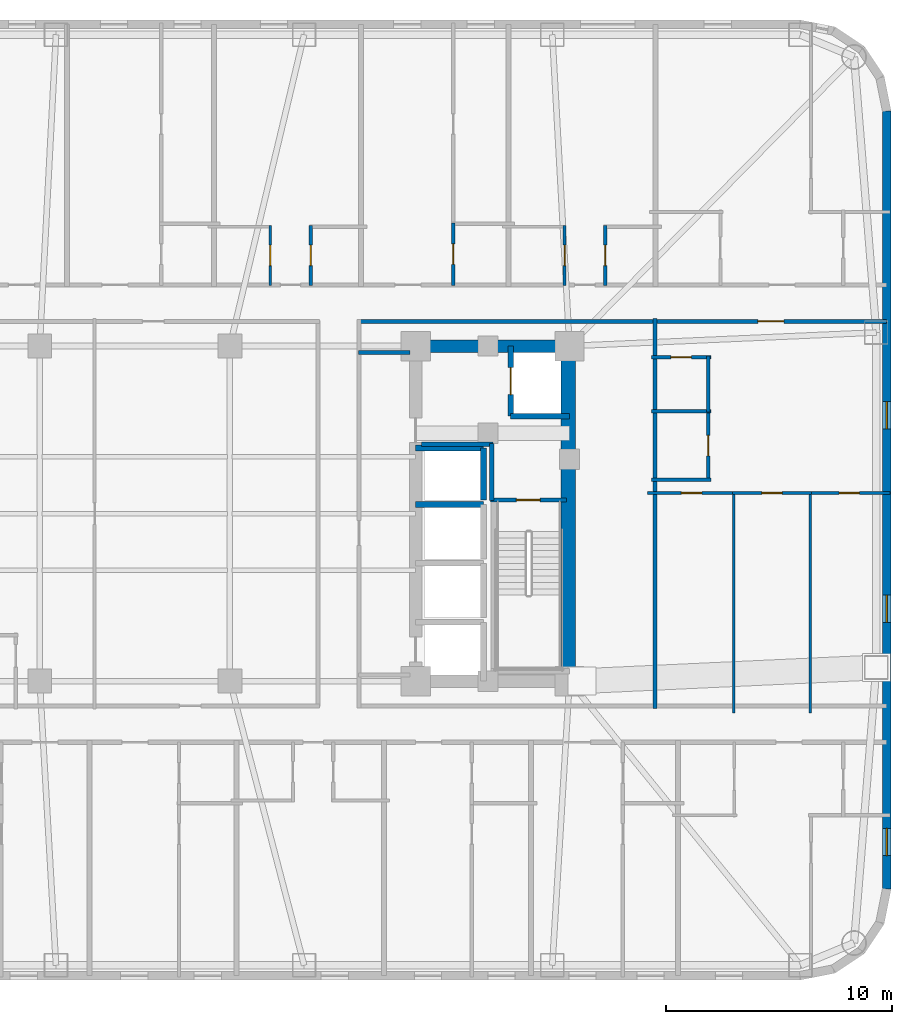
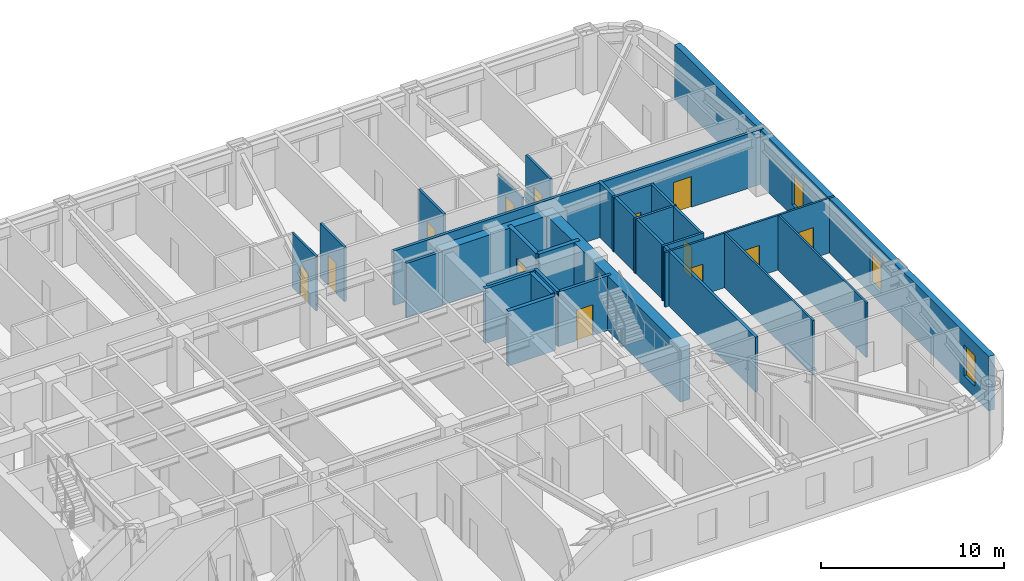
# One storey, part 8 of 12: 29 walls, 13 doors, 3 windows, 16 openings.
"""IFC4 building model written with IfcOpenShell, lengths in metres."""

from ifc_helpers import new_model, si_unit, direction, frame, frame_2d, origin, place, context, subcontext, project, spatial, rectangle, extrude, material, layer, layer_set, type_object, element, fill, save


model = new_model("IFC4")

# Units and contexts
model_context = context("Model", 3, precision=1e-05, world=origin(), true_north=direction((0.0, 1.0)))
body_context = subcontext(model_context, "Body", "Model", "MODEL_VIEW")
ifc_project = project(units=[si_unit("LENGTHUNIT", "METRE"), si_unit("AREAUNIT", "SQUARE_METRE"), si_unit("VOLUMEUNIT", "CUBIC_METRE"), si_unit("PLANEANGLEUNIT", "RADIAN"), si_unit("MASSUNIT", "GRAM", prefix="KILO")], contexts=[model_context])

# Site, building, storey
site_placement = place(None, origin())
site = spatial("IfcSite", under=ifc_project, at=site_placement, CompositionType="ELEMENT")
building_placement = place(site_placement, origin())
building = spatial("IfcBuilding", under=site, at=building_placement, Name="Voryun Gate Residences", CompositionType="ELEMENT")
storey_placement = place(building_placement, frame((0.0, 0.0, 128.699951171875)))
storey = spatial("IfcBuildingStorey", under=building, at=storey_placement, Name="L31", CompositionType="ELEMENT", Elevation=128.699951171875)

# Walls
ifc_material_1 = material(Name="Concrete C60/75", Category="concrete")
ifc_layer_1 = layer(ifc_material_1, 0.550048828125, Name="CW_CORE_550")
ifc_layer_set_1 = layer_set([ifc_layer_1], Name="Concrete C60/75")
wall_type_1 = type_object("IfcWallType", Name="CW_CORE_550", PredefinedType="SHEAR", material=ifc_layer_set_1)
wall_1_placement = place(storey_placement, frame((12.125, 7.39990234375, 0.0), z_axis=(0.0, 0.0, 1.0), x_axis=(1.0, 0.0, 0.0)))
element("IfcWall", 1, at=wall_1_placement, inside=storey, type_object=wall_type_1, Name="L31 Core shear wall CW-L31-EN", PredefinedType="SHEAR", context=body_context, shape_type="SweptSolid", body=[
    extrude(rectangle(XDim=7.35009765625, YDim=0.550048828125, at=frame_2d((3.675048828125, 0.0))), origin(), (0.0, 0.0, 1.0), 3.650146484375),
])
ifc_material_2 = material(Name="Concrete C60/75", Category="concrete")
ifc_layer_2 = layer(ifc_material_2, 0.64990234375, Name="CW_CORE_650")
ifc_layer_set_2 = layer_set([ifc_layer_2], Name="Concrete C60/75")
wall_type_2 = type_object("IfcWallType", Name="CW_CORE_650", PredefinedType="SHEAR", material=ifc_layer_set_2)
wall_2_placement = place(storey_placement, frame((19.14501953125, -7.39990234375, 0.0), z_axis=(0.0, 0.0, 1.0), x_axis=(0.0, 1.0, 0.0)))
element("IfcWall", 2, at=wall_2_placement, inside=storey, type_object=wall_type_2, Name="L31 Core shear wall CW-L31-EE", PredefinedType="SHEAR", context=body_context, shape_type="SweptSolid", body=[
    extrude(rectangle(XDim=14.7998046875, YDim=0.64990234375, at=frame_2d((7.39990234375, 0.0))), origin(), (0.0, 0.0, 1.0), 3.650146484375),
])

# Wall, opening, door
ifc_material_3 = material(Name="Gypsum acoustic fireboard")
ifc_layer_3 = layer(ifc_material_3, 0.179931640625, Name="W_CORR_RATED_180")
ifc_layer_set_3 = layer_set([ifc_layer_3], Name="Gypsum acoustic fireboard")
wall_type_3 = type_object("IfcWallType", Name="W_CORR_RATED_180", PredefinedType="PARTITIONING", material=ifc_layer_set_3)
wall_3_placement = place(storey_placement, frame((15.699951171875, 0.60009765625, 0.0), z_axis=(0.0, 0.0, 1.0), x_axis=(1.0, 0.0, 0.0)))
wall_3 = element("IfcWall", 3, at=wall_3_placement, inside=storey, type_object=wall_type_3, Name="Partition wall WP-L31-STV-E", PredefinedType="PARTITIONING", context=body_context, shape_type="SweptSolid", body=[
    extrude(rectangle(XDim=3.360107421875, YDim=0.179931640625, at=frame_2d((1.68017578125, 0.0))), origin(), (0.0, 0.0, 1.0), 3.650146484375),
])
opening_1_placement = place(wall_3_placement, frame((1.155029296875, 0.0, 0.0)))
opening_1 = element("IfcOpeningElement", 4, at=opening_1_placement, cuts=wall_3, Name="Opening D-FD60-1", PredefinedType="OPENING", context=body_context, shape_type="SweptSolid", body=[
    extrude(rectangle(XDim=1.050048828125, YDim=2.050048828125, at=frame_2d((0.52490234375, 1.02490234375))), frame((0.0, 0.099853515625, 0.0), z_axis=(0.0, -1.0, 0.0), x_axis=(1.0, 0.0, 0.0)), (0.0, 0.0, 1.0), 0.199951171875),
])
ifc_material_4 = material(Name="Painted steel fire door", Category="steel")
door_type_1 = type_object("IfcDoorType", Name="DR_FD60_STAIR_1050", OperationType="NOTDEFINED", PredefinedType="DOOR", material=ifc_material_4)
door_1_placement = place(opening_1_placement, origin())
door_1 = element("IfcDoor", 5, at=door_1_placement, inside=storey, type_object=door_type_1, Name="Door DR-L31-ST-E", OperationType="SINGLE_SWING_RIGHT", OverallHeight=2.050048828125, OverallWidth=1.050048828125, PredefinedType="DOOR", context=body_context, shape_type="SweptSolid", body=[
    extrude(rectangle(XDim=1.050048828125, YDim=2.050048828125, at=frame_2d((0.52490234375, 1.02490234375))), frame((0.0, 0.02490234375, 0.0), z_axis=(0.0, -1.0, 0.0), x_axis=(1.0, 0.0, 0.0)), (0.0, 0.0, 1.0), 0.050048828125),
])
fill(opening_1, door_1)

# Wall
wall_4_placement = place(storey_placement, frame((9.8798828125, 7.1201171875, 0.0), z_axis=(0.0, 0.0, 1.0), x_axis=(1.0, 0.0, 0.0)))
element("IfcWall", 6, at=wall_4_placement, inside=storey, type_object=wall_type_3, Name="Partition wall WP-L31-PLBN-E", PredefinedType="PARTITIONING", context=body_context, shape_type="SweptSolid", body=[
    extrude(rectangle(XDim=2.27001953125, YDim=0.179931640625, at=frame_2d((1.135009765625, 0.0))), origin(), (0.0, 0.0, 1.0), 3.650146484375),
])

# Wall, opening, door
wall_5_placement = place(storey_placement, frame((9.8798828125, 8.489990234375, 0.0), z_axis=(0.0, 0.0, 1.0), x_axis=(1.0, 0.0, 0.0)))
wall_5 = element("IfcWall", 7, at=wall_5_placement, inside=storey, type_object=wall_type_3, Name="Partition wall WP-L31-CWING-EN", PredefinedType="PARTITIONING", context=body_context, shape_type="SweptSolid", body=[
    extrude(rectangle(XDim=23.330078125, YDim=0.179931640625, at=frame_2d((11.6650390625, 0.0))), origin(), (0.0, 0.0, 1.0), 3.650146484375),
])
opening_2_placement = place(wall_5_placement, frame((17.64111328125, 0.0, 0.0)))
opening_2 = element("IfcOpeningElement", 8, at=opening_2_placement, cuts=wall_5, Name="Opening D-UNIT-1", PredefinedType="OPENING", context=body_context, shape_type="SweptSolid", body=[
    extrude(rectangle(XDim=1.14990234375, YDim=2.050048828125, at=frame_2d((0.574951171875, 1.02490234375))), frame((0.0, 0.099853515625, 0.0), z_axis=(0.0, -1.0, 0.0), x_axis=(1.0, 0.0, 0.0)), (0.0, 0.0, 1.0), 0.199951171875),
])
ifc_material_5 = material(Name="Armoured timber-clad fire door", Category="wood")
door_type_2 = type_object("IfcDoorType", Name="DR_UNIT_ENTRY_1150", OperationType="NOTDEFINED", PredefinedType="DOOR", material=ifc_material_5)
door_2_placement = place(opening_2_placement, origin())
door_2 = element("IfcDoor", 9, at=door_2_placement, inside=storey, type_object=door_type_2, Name="Door DR-L31-EE1N", OperationType="SINGLE_SWING_LEFT", OverallHeight=2.050048828125, OverallWidth=1.14990234375, PredefinedType="DOOR", context=body_context, shape_type="SweptSolid", body=[
    extrude(rectangle(XDim=1.14990234375, YDim=2.050048828125, at=frame_2d((0.574951171875, 1.02490234375))), frame((0.0, 0.02490234375, 0.0), z_axis=(0.0, -1.0, 0.0), x_axis=(1.0, 0.0, 0.0)), (0.0, 0.0, 1.0), 0.050048828125),
])
fill(opening_2, door_2)

# Wall
wall_6_placement = place(storey_placement, frame((22.969970703125, -8.610107421875, 0.0), z_axis=(0.0, 0.0, 1.0), x_axis=(0.0, 1.0, 0.0)))
element("IfcWall", 10, at=wall_6_placement, inside=storey, type_object=wall_type_3, Name="Partition wall WP-L31-ECOR", PredefinedType="PARTITIONING", context=body_context, shape_type="SweptSolid", body=[
    extrude(rectangle(XDim=17.22021484375, YDim=0.179931640625, at=frame_2d((8.610107421875, 0.0))), origin(), (0.0, 0.0, 1.0), 3.650146484375),
])

# Wall, openings, windows
ifc_material_6 = material(Name="Granite masonry", Category="masonry")
ifc_layer_4 = layer(ifc_material_6, 0.3798828125, Name="W_EXT_GRANITE_380")
ifc_layer_set_4 = layer_set([ifc_layer_4], Name="Granite masonry")
wall_type_4 = type_object("IfcWallType", Name="W_EXT_GRANITE_380", PredefinedType="ELEMENTEDWALL", material=ifc_layer_set_4)
wall_7_placement = place(storey_placement, frame((33.2099609375, 17.78125, 0.0), z_axis=(0.0, 0.0, 1.0), x_axis=(0.0, -1.0, 0.0)))
wall_7 = element("IfcWall", 11, at=wall_7_placement, inside=storey, type_object=wall_type_4, Name="Exterior wall WEXT-L31-16", PredefinedType="ELEMENTEDWALL", context=body_context, shape_type="SweptSolid", body=[
    extrude(rectangle(XDim=34.362548828125, YDim=0.3798828125, at=frame_2d((17.18115234375, 0.0))), origin(), (0.0, 0.0, 1.0), 3.650146484375),
])
opening_3_placement = place(wall_7_placement, frame((31.68701171875, 0.0, 0.75)))
opening_3 = element("IfcOpeningElement", 12, at=opening_3_placement, cuts=wall_7, Name="Opening WN6", PredefinedType="OPENING", context=body_context, shape_type="SweptSolid", body=[
    extrude(rectangle(XDim=1.199951171875, YDim=2.050048828125, at=frame_2d((0.60009765625, 1.02490234375))), frame((0.0, 0.199951171875, 0.0), z_axis=(0.0, -1.0, 0.0), x_axis=(1.0, 0.0, 0.0)), (0.0, 0.0, 1.0), 0.39990234375),
])
opening_4_placement = place(wall_7_placement, frame((12.836181640625, 0.0, 0.75)))
opening_4 = element("IfcOpeningElement", 13, at=opening_4_placement, cuts=wall_7, Name="Opening WN6", PredefinedType="OPENING", context=body_context, shape_type="SweptSolid", body=[
    extrude(rectangle(XDim=1.199951171875, YDim=2.050048828125, at=frame_2d((0.60009765625, 1.02490234375))), frame((0.0, 0.199951171875, 0.0), z_axis=(0.0, -1.0, 0.0), x_axis=(1.0, 0.0, 0.0)), (0.0, 0.0, 1.0), 0.39990234375),
])
opening_5_placement = place(wall_7_placement, frame((21.38623046875, 0.0, 0.75)))
opening_5 = element("IfcOpeningElement", 14, at=opening_5_placement, cuts=wall_7, Name="Opening WN6", PredefinedType="OPENING", context=body_context, shape_type="SweptSolid", body=[
    extrude(rectangle(XDim=1.199951171875, YDim=2.050048828125, at=frame_2d((0.60009765625, 1.02490234375))), frame((0.0, 0.199951171875, 0.0), z_axis=(0.0, -1.0, 0.0), x_axis=(1.0, 0.0, 0.0)), (0.0, 0.0, 1.0), 0.39990234375),
])
ifc_material_7 = material(Name="Laminated low-E glass", Category="glass")
window_type = type_object("IfcWindowType", Name="WN_POD_SLOT_1200", PartitioningType="SINGLE_PANEL", PredefinedType="WINDOW", material=ifc_material_7)
window_1_placement = place(opening_3_placement, origin())
window_1 = element("IfcWindow", 15, at=window_1_placement, inside=storey, type_object=window_type, Name="Window WN-L31-DWFIX-28", OverallHeight=2.050048828125, OverallWidth=1.199951171875, PartitioningType="SINGLE_PANEL", PredefinedType="WINDOW", context=body_context, shape_type="SweptSolid", body=[
    extrude(rectangle(XDim=1.199951171875, YDim=2.050048828125, at=frame_2d((0.60009765625, 1.02490234375))), frame((0.0, 0.030029296875, 0.0), z_axis=(0.0, -1.0, 0.0), x_axis=(1.0, 0.0, 0.0)), (0.0, 0.0, 1.0), 0.06005859375),
])
fill(opening_3, window_1)
window_2_placement = place(opening_4_placement, origin())
window_2 = element("IfcWindow", 16, at=window_2_placement, inside=storey, type_object=window_type, Name="Window WN-L31-DWFIX-31", OverallHeight=2.050048828125, OverallWidth=1.199951171875, PartitioningType="SINGLE_PANEL", PredefinedType="WINDOW", context=body_context, shape_type="SweptSolid", body=[
    extrude(rectangle(XDim=1.199951171875, YDim=2.050048828125, at=frame_2d((0.60009765625, 1.02490234375))), frame((0.0, 0.030029296875, 0.0), z_axis=(0.0, -1.0, 0.0), x_axis=(1.0, 0.0, 0.0)), (0.0, 0.0, 1.0), 0.06005859375),
])
fill(opening_4, window_2)
window_3_placement = place(opening_5_placement, origin())
window_3 = element("IfcWindow", 17, at=window_3_placement, inside=storey, type_object=window_type, Name="Window WN-L31-DWFIX-32", OverallHeight=2.050048828125, OverallWidth=1.199951171875, PartitioningType="SINGLE_PANEL", PredefinedType="WINDOW", context=body_context, shape_type="SweptSolid", body=[
    extrude(rectangle(XDim=1.199951171875, YDim=2.050048828125, at=frame_2d((0.60009765625, 1.02490234375))), frame((0.0, 0.030029296875, 0.0), z_axis=(0.0, -1.0, 0.0), x_axis=(1.0, 0.0, 0.0)), (0.0, 0.0, 1.0), 0.06005859375),
])
fill(opening_5, window_3)

# Walls
ifc_material_8 = material(Name="Concrete C40/50", Category="concrete")
ifc_layer_5 = layer(ifc_material_8, 0.199951171875, Name="W_FF_LOBBY_200")
ifc_layer_set_5 = layer_set([ifc_layer_5], Name="Concrete C40/50")
wall_type_5 = type_object("IfcWallType", Name="W_FF_LOBBY_200", PredefinedType="PARTITIONING", material=ifc_layer_set_5)
wall_8_placement = place(storey_placement, frame((15.760009765625, 0.580078125, 0.0), z_axis=(0.0, 0.0, 1.0), x_axis=(0.0, 1.0, 0.0)))
element("IfcWall", 18, at=wall_8_placement, inside=storey, type_object=wall_type_5, Name="Partition wall WP-L31-FFP0-E", PredefinedType="PARTITIONING", context=body_context, shape_type="SweptSolid", body=[
    extrude(rectangle(XDim=2.52001953125, YDim=0.199951171875, at=frame_2d((1.260009765625, 0.0))), origin(), (0.0, 0.0, 1.0), 3.650146484375),
])
wall_9_placement = place(storey_placement, frame((12.659912109375, 3.06005859375, 0.0), z_axis=(0.0, 0.0, 1.0), x_axis=(1.0, 0.0, 0.0)))
element("IfcWall", 19, at=wall_9_placement, inside=storey, type_object=wall_type_5, Name="Partition wall WP-L31-FFPS-E", PredefinedType="PARTITIONING", context=body_context, shape_type="SweptSolid", body=[
    extrude(rectangle(XDim=3.16015625, YDim=0.199951171875, at=frame_2d((1.580078125, 0.0))), origin(), (0.0, 0.0, 1.0), 3.650146484375),
])
ifc_material_9 = material(Name="Concrete C50/60", Category="concrete")
ifc_layer_6 = layer(ifc_material_9, 0.25, Name="W_SHAFT_RC250")
ifc_layer_set_6 = layer_set([ifc_layer_6], Name="Concrete C50/60")
wall_type_6 = type_object("IfcWallType", Name="W_SHAFT_RC250", PredefinedType="SOLIDWALL", material=ifc_layer_set_6)
wall_10_placement = place(storey_placement, frame((16.60009765625, 4.300048828125, 0.0), z_axis=(0.0, 0.0, 1.0), x_axis=(1.0, 0.0, 0.0)))
element("IfcWall", 20, at=wall_10_placement, inside=storey, type_object=wall_type_6, Name="Lift shaft wall WSH-L31-EL-FF-E1-S", PredefinedType="SOLIDWALL", context=body_context, shape_type="SweptSolid", body=[
    extrude(rectangle(XDim=2.599853515625, YDim=0.25, at=frame_2d((1.2998046875, 0.0))), origin(), (0.0, 0.0, 1.0), 3.650146484375),
])

# Wall, opening, door
wall_11_placement = place(storey_placement, frame((16.60009765625, 7.39990234375, 0.0), z_axis=(0.0, 0.0, 1.0), x_axis=(0.0, -1.0, 0.0)))
wall_11 = element("IfcWall", 21, at=wall_11_placement, inside=storey, type_object=wall_type_6, Name="Lift shaft wall WSH-L31-EL-FF-E1-W", PredefinedType="SOLIDWALL", context=body_context, shape_type="SweptSolid", body=[
    extrude(rectangle(XDim=3.099853515625, YDim=0.25, at=frame_2d((1.5498046875, 0.0))), origin(), (0.0, 0.0, 1.0), 3.650146484375),
])
opening_6_placement = place(wall_11_placement, frame((0.949951171875, 0.0, 0.0)))
opening_6 = element("IfcOpeningElement", 22, at=opening_6_placement, cuts=wall_11, Name="Opening LD1", PredefinedType="OPENING", context=body_context, shape_type="SweptSolid", body=[
    extrude(rectangle(XDim=1.199951171875, YDim=2.050048828125, at=frame_2d((0.60009765625, 1.02490234375))), frame((0.0, 0.135009765625, 0.0), z_axis=(0.0, -1.0, 0.0), x_axis=(1.0, 0.0, 0.0)), (0.0, 0.0, 1.0), 0.27001953125),
])
ifc_material_10 = material(Name="Anodised aluminium", Category="aluminium")
door_type_3 = type_object("IfcDoorType", Name="DR_LD_FF_1200", OperationType="NOTDEFINED", PredefinedType="DOOR", material=ifc_material_10)
door_3_placement = place(opening_6_placement, origin())
door_3 = element("IfcDoor", 23, at=door_3_placement, inside=storey, type_object=door_type_3, Name="Lift EL-FF-E1 sliding landing door L31", OperationType="SLIDING_TO_LEFT", OverallHeight=2.050048828125, OverallWidth=1.199951171875, PredefinedType="DOOR", context=body_context, shape_type="SweptSolid", body=[
    extrude(rectangle(XDim=1.199951171875, YDim=2.050048828125, at=frame_2d((0.60009765625, 1.02490234375))), frame((0.0, 0.02490234375, 0.0), z_axis=(0.0, -1.0, 0.0), x_axis=(1.0, 0.0, 0.0)), (0.0, 0.0, 1.0), 0.050048828125),
])
fill(opening_6, door_3)

# Walls
wall_12_placement = place(storey_placement, frame((15.39990234375, 0.39990234375, 0.0), z_axis=(0.0, 0.0, 1.0), x_axis=(-1.0, 0.0, 0.0)))
element("IfcWall", 24, at=wall_12_placement, inside=storey, type_object=wall_type_6, Name="Lift shaft wall WSH-L31-EL-P6-N", PredefinedType="SOLIDWALL", context=body_context, shape_type="SweptSolid", body=[
    extrude(rectangle(XDim=3.0, YDim=0.25, at=frame_2d((1.5, 0.0))), origin(), (0.0, 0.0, 1.0), 3.650146484375),
])
wall_13_placement = place(storey_placement, frame((15.39990234375, 0.60009765625, 0.0), z_axis=(0.0, 0.0, 1.0), x_axis=(0.0, 1.0, 0.0)))
element("IfcWall", 25, at=wall_13_placement, inside=storey, type_object=wall_type_6, Name="Lift shaft wall WSH-L31-EL-P8-E", PredefinedType="SOLIDWALL", context=body_context, shape_type="SweptSolid", body=[
    extrude(rectangle(XDim=2.2998046875, YDim=0.25, at=frame_2d((1.14990234375, 0.0))), origin(), (0.0, 0.0, 1.0), 3.650146484375),
])
wall_14_placement = place(storey_placement, frame((15.39990234375, 2.89990234375, 0.0), z_axis=(0.0, 0.0, 1.0), x_axis=(-1.0, 0.0, 0.0)))
element("IfcWall", 26, at=wall_14_placement, inside=storey, type_object=wall_type_6, Name="Lift shaft wall WSH-L31-EL-P8-N", PredefinedType="SOLIDWALL", context=body_context, shape_type="SweptSolid", body=[
    extrude(rectangle(XDim=3.0, YDim=0.25, at=frame_2d((1.5, 0.0))), origin(), (0.0, 0.0, 1.0), 3.650146484375),
])

# Wall, opening, door
ifc_material_11 = material(Name="Gypsum acoustic partition")
ifc_layer_7 = layer(ifc_material_11, 0.125, Name="W_UNIT_PART_125")
ifc_layer_set_7 = layer_set([ifc_layer_7], Name="Gypsum acoustic partition")
wall_type_7 = type_object("IfcWallType", Name="W_UNIT_PART_125", PredefinedType="PARTITIONING", material=ifc_layer_set_7)
wall_15_placement = place(storey_placement, frame((5.98388671875, 10.080078125, 0.0), z_axis=(0.0, 0.0, 1.0), x_axis=(0.0, 1.0, 0.0)))
wall_15 = element("IfcWall", 27, at=wall_15_placement, inside=storey, type_object=wall_type_7, Name="Partition wall WP-L31-N6-CVK", PredefinedType="PARTITIONING", context=body_context, shape_type="SweptSolid", body=[
    extrude(rectangle(XDim=2.64990234375, YDim=0.125, at=frame_2d((1.324951171875, 0.0))), origin(), (0.0, 0.0, 1.0), 3.650146484375),
])
opening_7_placement = place(wall_15_placement, frame((0.875, 0.0, 0.0)))
opening_7 = element("IfcOpeningElement", 28, at=opening_7_placement, cuts=wall_15, Name="Opening D-INT-2", PredefinedType="OPENING", context=body_context, shape_type="SweptSolid", body=[
    extrude(rectangle(XDim=0.89990234375, YDim=2.050048828125, at=frame_2d((0.449951171875, 1.02490234375))), frame((0.0, 0.072509765625, 0.0), z_axis=(0.0, -1.0, 0.0), x_axis=(1.0, 0.0, 0.0)), (0.0, 0.0, 1.0), 0.14501953125),
])
ifc_material_12 = material(Name="Architectural oak veneer")
door_type_4 = type_object("IfcDoorType", Name="DR_INT_BATH_900", OperationType="NOTDEFINED", PredefinedType="DOOR", material=ifc_material_12)
door_4_placement = place(opening_7_placement, origin())
door_4 = element("IfcDoor", 29, at=door_4_placement, inside=storey, type_object=door_type_4, Name="Door DR-L31-N6-DK", OperationType="SINGLE_SWING_LEFT", OverallHeight=2.050048828125, OverallWidth=0.89990234375, PredefinedType="DOOR", context=body_context, shape_type="SweptSolid", body=[
    extrude(rectangle(XDim=0.89990234375, YDim=2.050048828125, at=frame_2d((0.449951171875, 1.02490234375))), frame((0.0, 0.02490234375, 0.0), z_axis=(0.0, -1.0, 0.0), x_axis=(1.0, 0.0, 0.0)), (0.0, 0.0, 1.0), 0.050048828125),
])
fill(opening_7, door_4)

wall_16_placement = place(storey_placement, frame((18.98388671875, 10.080078125, 0.0), z_axis=(0.0, 0.0, 1.0), x_axis=(0.0, 1.0, 0.0)))
wall_16 = element("IfcWall", 30, at=wall_16_placement, inside=storey, type_object=wall_type_7, Name="Partition wall WP-L31-N8-CVK", PredefinedType="PARTITIONING", context=body_context, shape_type="SweptSolid", body=[
    extrude(rectangle(XDim=2.64990234375, YDim=0.125, at=frame_2d((1.324951171875, 0.0))), origin(), (0.0, 0.0, 1.0), 3.0400390625),
])
opening_8_placement = place(wall_16_placement, frame((0.875, 0.0, 0.0)))
opening_8 = element("IfcOpeningElement", 31, at=opening_8_placement, cuts=wall_16, Name="Opening D-INT-2", PredefinedType="OPENING", context=body_context, shape_type="SweptSolid", body=[
    extrude(rectangle(XDim=0.89990234375, YDim=2.050048828125, at=frame_2d((0.449951171875, 1.02490234375))), frame((0.0, 0.072509765625, 0.0), z_axis=(0.0, -1.0, 0.0), x_axis=(1.0, 0.0, 0.0)), (0.0, 0.0, 1.0), 0.14501953125),
])
door_5_placement = place(opening_8_placement, origin())
door_5 = element("IfcDoor", 32, at=door_5_placement, inside=storey, type_object=door_type_4, Name="Door DR-L31-N8-DK", OperationType="SINGLE_SWING_LEFT", OverallHeight=2.050048828125, OverallWidth=0.89990234375, PredefinedType="DOOR", context=body_context, shape_type="SweptSolid", body=[
    extrude(rectangle(XDim=0.89990234375, YDim=2.050048828125, at=frame_2d((0.449951171875, 1.02490234375))), frame((0.0, 0.02490234375, 0.0), z_axis=(0.0, -1.0, 0.0), x_axis=(1.0, 0.0, 0.0)), (0.0, 0.0, 1.0), 0.050048828125),
])
fill(opening_8, door_5)

wall_17_placement = place(storey_placement, frame((22.64990234375, 0.909912109375, 0.0), z_axis=(0.0, 0.0, 1.0), x_axis=(1.0, 0.0, 0.0)))
wall_17 = element("IfcWall", 33, at=wall_17_placement, inside=storey, type_object=wall_type_7, Name="Partition wall WP-L31-E1-HZMB1", PredefinedType="PARTITIONING", context=body_context, shape_type="SweptSolid", body=[
    extrude(rectangle(XDim=3.86669921875, YDim=0.125, at=frame_2d((1.933349609375, 0.0))), origin(), (0.0, 0.0, 1.0), 3.650146484375),
])
opening_9_placement = place(wall_17_placement, frame((1.491943359375, 0.0, 0.0)))
opening_9 = element("IfcOpeningElement", 34, at=opening_9_placement, cuts=wall_17, Name="Opening D-INT-2", PredefinedType="OPENING", context=body_context, shape_type="SweptSolid", body=[
    extrude(rectangle(XDim=0.89990234375, YDim=2.050048828125, at=frame_2d((0.449951171875, 1.02490234375))), frame((0.0, 0.072509765625, 0.0), z_axis=(0.0, -1.0, 0.0), x_axis=(1.0, 0.0, 0.0)), (0.0, 0.0, 1.0), 0.14501953125),
])
door_6_placement = place(opening_9_placement, origin())
door_6 = element("IfcDoor", 35, at=door_6_placement, inside=storey, type_object=door_type_4, Name="Door DR-L31-E1-DMB", OperationType="SINGLE_SWING_LEFT", OverallHeight=2.050048828125, OverallWidth=0.89990234375, PredefinedType="DOOR", context=body_context, shape_type="SweptSolid", body=[
    extrude(rectangle(XDim=0.89990234375, YDim=2.050048828125, at=frame_2d((0.449951171875, 1.02490234375))), frame((0.0, 0.02490234375, 0.0), z_axis=(0.0, -1.0, 0.0), x_axis=(1.0, 0.0, 0.0)), (0.0, 0.0, 1.0), 0.050048828125),
])
fill(opening_9, door_6)

wall_18_placement = place(storey_placement, frame((26.3916015625, 0.909912109375, 0.0), z_axis=(0.0, 0.0, 1.0), x_axis=(1.0, 0.0, 0.0)))
wall_18 = element("IfcWall", 36, at=wall_18_placement, inside=storey, type_object=wall_type_7, Name="Partition wall WP-L31-E1-HZMB2", PredefinedType="PARTITIONING", context=body_context, shape_type="SweptSolid", body=[
    extrude(rectangle(XDim=3.5068359375, YDim=0.125, at=frame_2d((1.75341796875, 0.0))), origin(), (0.0, 0.0, 1.0), 3.650146484375),
])
opening_10_placement = place(wall_18_placement, frame((1.303466796875, 0.0, 0.0)))
opening_10 = element("IfcOpeningElement", 37, at=opening_10_placement, cuts=wall_18, Name="Opening D-INT-2", PredefinedType="OPENING", context=body_context, shape_type="SweptSolid", body=[
    extrude(rectangle(XDim=0.89990234375, YDim=2.050048828125, at=frame_2d((0.449951171875, 1.02490234375))), frame((0.0, 0.072509765625, 0.0), z_axis=(0.0, -1.0, 0.0), x_axis=(1.0, 0.0, 0.0)), (0.0, 0.0, 1.0), 0.14501953125),
])
door_7_placement = place(opening_10_placement, origin())
door_7 = element("IfcDoor", 38, at=door_7_placement, inside=storey, type_object=door_type_4, Name="Door DR-L31-E1-DBD2", OperationType="SINGLE_SWING_RIGHT", OverallHeight=2.050048828125, OverallWidth=0.89990234375, PredefinedType="DOOR", context=body_context, shape_type="SweptSolid", body=[
    extrude(rectangle(XDim=0.89990234375, YDim=2.050048828125, at=frame_2d((0.449951171875, 1.02490234375))), frame((0.0, 0.02490234375, 0.0), z_axis=(0.0, -1.0, 0.0), x_axis=(1.0, 0.0, 0.0)), (0.0, 0.0, 1.0), 0.050048828125),
])
fill(opening_10, door_7)

wall_19_placement = place(storey_placement, frame((29.7734375, 0.909912109375, 0.0), z_axis=(0.0, 0.0, 1.0), x_axis=(1.0, 0.0, 0.0)))
wall_19 = element("IfcWall", 39, at=wall_19_placement, inside=storey, type_object=wall_type_7, Name="Partition wall WP-L31-E1-HZMB3", PredefinedType="PARTITIONING", context=body_context, shape_type="SweptSolid", body=[
    extrude(rectangle(XDim=3.586669921875, YDim=0.125, at=frame_2d((1.79345703125, 0.0))), origin(), (0.0, 0.0, 1.0), 3.650146484375),
])
opening_11_placement = place(wall_19_placement, frame((1.33447265625, 0.0, 0.0)))
opening_11 = element("IfcOpeningElement", 40, at=opening_11_placement, cuts=wall_19, Name="Opening D-INT-2", PredefinedType="OPENING", context=body_context, shape_type="SweptSolid", body=[
    extrude(rectangle(XDim=0.89990234375, YDim=2.050048828125, at=frame_2d((0.449951171875, 1.02490234375))), frame((0.0, 0.072509765625, 0.0), z_axis=(0.0, -1.0, 0.0), x_axis=(1.0, 0.0, 0.0)), (0.0, 0.0, 1.0), 0.14501953125),
])
door_8_placement = place(opening_11_placement, origin())
door_8 = element("IfcDoor", 41, at=door_8_placement, inside=storey, type_object=door_type_4, Name="Door DR-L31-E1-DBD3", OperationType="SINGLE_SWING_LEFT", OverallHeight=2.050048828125, OverallWidth=0.89990234375, PredefinedType="DOOR", context=body_context, shape_type="SweptSolid", body=[
    extrude(rectangle(XDim=0.89990234375, YDim=2.050048828125, at=frame_2d((0.449951171875, 1.02490234375))), frame((0.0, 0.02490234375, 0.0), z_axis=(0.0, -1.0, 0.0), x_axis=(1.0, 0.0, 0.0)), (0.0, 0.0, 1.0), 0.050048828125),
])
fill(opening_11, door_8)

# Walls
for number, where, z_axis, x_axis, name in (
    (42, (29.8359375, -8.81005859375, 0.0), (0.0, 0.0, 1.0), (0.0, 1.0, 0.0), "Partition wall WP-L31-E1-VMB2"),
    (43, (26.4541015625, -8.81005859375, 0.0), (0.0, 0.0, 1.0), (0.0, 1.0, 0.0), "Partition wall WP-L31-E1-VMB"),
):
    element("IfcWall", number, at=place(storey_placement, frame(where, z_axis=z_axis, x_axis=x_axis)), inside=storey, type_object=wall_type_7, Name=name, PredefinedType="PARTITIONING", context=body_context, shape_type="SweptSolid", body=[
        extrude(rectangle(XDim=9.780029296875, YDim=0.125, at=frame_2d((4.89013671875, 0.0))), origin(), (0.0, 0.0, 1.0), 3.650146484375),
    ])

# Wall, opening, door
ifc_material_13 = material(Name="Gypsum moisture-resistant partition")
ifc_layer_8 = layer(ifc_material_13, 0.14990234375, Name="W_WET_PLUMB_150")
ifc_layer_set_8 = layer_set([ifc_layer_8], Name="Gypsum moisture-resistant partition")
wall_type_8 = type_object("IfcWallType", Name="W_WET_PLUMB_150", PredefinedType="PLUMBINGWALL", material=ifc_layer_set_8)
wall_20_placement = place(storey_placement, frame((7.77099609375, 10.080078125, 0.0), z_axis=(0.0, 0.0, 1.0), x_axis=(0.0, 1.0, 0.0)))
wall_20 = element("IfcWall", 44, at=wall_20_placement, inside=storey, type_object=wall_type_8, Name="Partition wall WP-L31-N6-CVB", PredefinedType="PLUMBINGWALL", context=body_context, shape_type="SweptSolid", body=[
    extrude(rectangle(XDim=2.64990234375, YDim=0.14990234375, at=frame_2d((1.324951171875, 0.0))), origin(), (0.0, 0.0, 1.0), 3.650146484375),
])
opening_12_placement = place(wall_20_placement, frame((0.875, 0.0, 0.0)))
opening_12 = element("IfcOpeningElement", 45, at=opening_12_placement, cuts=wall_20, Name="Opening D-INT-2", PredefinedType="OPENING", context=body_context, shape_type="SweptSolid", body=[
    extrude(rectangle(XDim=0.89990234375, YDim=2.050048828125, at=frame_2d((0.449951171875, 1.02490234375))), frame((0.0, 0.0849609375, 0.0), z_axis=(0.0, -1.0, 0.0), x_axis=(1.0, 0.0, 0.0)), (0.0, 0.0, 1.0), 0.169921875),
])
door_9_placement = place(opening_12_placement, origin())
door_9 = element("IfcDoor", 46, at=door_9_placement, inside=storey, type_object=door_type_4, Name="Door DR-L31-N6-DB", OperationType="SINGLE_SWING_RIGHT", OverallHeight=2.050048828125, OverallWidth=0.89990234375, PredefinedType="DOOR", context=body_context, shape_type="SweptSolid", body=[
    extrude(rectangle(XDim=0.89990234375, YDim=2.050048828125, at=frame_2d((0.449951171875, 1.02490234375))), frame((0.0, 0.02490234375, 0.0), z_axis=(0.0, -1.0, 0.0), x_axis=(1.0, 0.0, 0.0)), (0.0, 0.0, 1.0), 0.050048828125),
])
fill(opening_12, door_9)

wall_21_placement = place(storey_placement, frame((14.06005859375, 10.080078125, 0.0), z_axis=(0.0, 0.0, 1.0), x_axis=(0.0, 1.0, 0.0)))
wall_21 = element("IfcWall", 47, at=wall_21_placement, inside=storey, type_object=wall_type_8, Name="Partition wall WP-L31-N7-SVT1", PredefinedType="PLUMBINGWALL", context=body_context, shape_type="SweptSolid", body=[
    extrude(rectangle(XDim=2.760009765625, YDim=0.14990234375, at=frame_2d((1.3798828125, 0.0))), origin(), (0.0, 0.0, 1.0), 3.650146484375),
])
opening_13_placement = place(wall_21_placement, frame((0.929931640625, 0.0, 0.0)))
opening_13 = element("IfcOpeningElement", 48, at=opening_13_placement, cuts=wall_21, Name="Opening D-INT-2", PredefinedType="OPENING", context=body_context, shape_type="SweptSolid", body=[
    extrude(rectangle(XDim=0.89990234375, YDim=2.050048828125, at=frame_2d((0.449951171875, 1.02490234375))), frame((0.0, 0.0849609375, 0.0), z_axis=(0.0, -1.0, 0.0), x_axis=(1.0, 0.0, 0.0)), (0.0, 0.0, 1.0), 0.169921875),
])
door_10_placement = place(opening_13_placement, origin())
door_10 = element("IfcDoor", 49, at=door_10_placement, inside=storey, type_object=door_type_4, Name="Door DR-L31-N7-DB", OperationType="SINGLE_SWING_LEFT", OverallHeight=2.050048828125, OverallWidth=0.89990234375, PredefinedType="DOOR", context=body_context, shape_type="SweptSolid", body=[
    extrude(rectangle(XDim=0.89990234375, YDim=2.050048828125, at=frame_2d((0.449951171875, 1.02490234375))), frame((0.0, 0.02490234375, 0.0), z_axis=(0.0, -1.0, 0.0), x_axis=(1.0, 0.0, 0.0)), (0.0, 0.0, 1.0), 0.050048828125),
])
fill(opening_13, door_10)

wall_22_placement = place(storey_placement, frame((20.77099609375, 10.080078125, 0.0), z_axis=(0.0, 0.0, 1.0), x_axis=(0.0, 1.0, 0.0)))
wall_22 = element("IfcWall", 50, at=wall_22_placement, inside=storey, type_object=wall_type_8, Name="Partition wall WP-L31-N8-CVB", PredefinedType="PLUMBINGWALL", context=body_context, shape_type="SweptSolid", body=[
    extrude(rectangle(XDim=2.64990234375, YDim=0.14990234375, at=frame_2d((1.324951171875, 0.0))), origin(), (0.0, 0.0, 1.0), 3.650146484375),
])
opening_14_placement = place(wall_22_placement, frame((0.875, 0.0, 0.0)))
opening_14 = element("IfcOpeningElement", 51, at=opening_14_placement, cuts=wall_22, Name="Opening D-INT-2", PredefinedType="OPENING", context=body_context, shape_type="SweptSolid", body=[
    extrude(rectangle(XDim=0.89990234375, YDim=2.050048828125, at=frame_2d((0.449951171875, 1.02490234375))), frame((0.0, 0.0849609375, 0.0), z_axis=(0.0, -1.0, 0.0), x_axis=(1.0, 0.0, 0.0)), (0.0, 0.0, 1.0), 0.169921875),
])
door_11_placement = place(opening_14_placement, origin())
door_11 = element("IfcDoor", 52, at=door_11_placement, inside=storey, type_object=door_type_4, Name="Door DR-L31-N8-DB", OperationType="SINGLE_SWING_RIGHT", OverallHeight=2.050048828125, OverallWidth=0.89990234375, PredefinedType="DOOR", context=body_context, shape_type="SweptSolid", body=[
    extrude(rectangle(XDim=0.89990234375, YDim=2.050048828125, at=frame_2d((0.449951171875, 1.02490234375))), frame((0.0, 0.02490234375, 0.0), z_axis=(0.0, -1.0, 0.0), x_axis=(1.0, 0.0, 0.0)), (0.0, 0.0, 1.0), 0.050048828125),
])
fill(opening_14, door_11)

wall_23_placement = place(storey_placement, frame((22.820068359375, 6.89990234375, 0.0), z_axis=(0.0, 0.0, 1.0), x_axis=(1.0, 0.0, 0.0)))
wall_23 = element("IfcWall", 53, at=wall_23_placement, inside=storey, type_object=wall_type_8, Name="Partition wall WP-L31-E1-IBT", PredefinedType="PLUMBINGWALL", context=body_context, shape_type="SweptSolid", body=[
    extrude(rectangle(XDim=2.619873046875, YDim=0.14990234375, at=frame_2d((1.31005859375, 0.0))), origin(), (0.0, 0.0, 1.0), 3.650146484375),
])
opening_15_placement = place(wall_23_placement, frame((0.860107421875, 0.0, 0.0)))
opening_15 = element("IfcOpeningElement", 54, at=opening_15_placement, cuts=wall_23, Name="Opening D-INT-2", PredefinedType="OPENING", context=body_context, shape_type="SweptSolid", body=[
    extrude(rectangle(XDim=0.89990234375, YDim=2.050048828125, at=frame_2d((0.449951171875, 1.02490234375))), frame((0.0, 0.0849609375, 0.0), z_axis=(0.0, -1.0, 0.0), x_axis=(1.0, 0.0, 0.0)), (0.0, 0.0, 1.0), 0.169921875),
])
door_12_placement = place(opening_15_placement, origin())
door_12 = element("IfcDoor", 55, at=door_12_placement, inside=storey, type_object=door_type_4, Name="Door DR-L31-E1-DK", OperationType="SINGLE_SWING_LEFT", OverallHeight=2.050048828125, OverallWidth=0.89990234375, PredefinedType="DOOR", context=body_context, shape_type="SweptSolid", body=[
    extrude(rectangle(XDim=0.89990234375, YDim=2.050048828125, at=frame_2d((0.449951171875, 1.02490234375))), frame((0.0, 0.02490234375, 0.0), z_axis=(0.0, -1.0, 0.0), x_axis=(1.0, 0.0, 0.0)), (0.0, 0.0, 1.0), 0.050048828125),
])
fill(opening_15, door_12)

# Walls
for number, where, z_axis, x_axis, name in (
    (56, (22.820068359375, 4.52001953125, 0.0), (0.0, 0.0, 1.0), (1.0, 0.0, 0.0), "Partition wall WP-L31-E1-IKB"),
    (57, (22.820068359375, 1.5, 0.0), (0.0, 0.0, 1.0), (1.0, 0.0, 0.0), "Partition wall WP-L31-E1-IBB"),
):
    element("IfcWall", number, at=place(storey_placement, frame(where, z_axis=z_axis, x_axis=x_axis)), inside=storey, type_object=wall_type_8, Name=name, PredefinedType="PLUMBINGWALL", context=body_context, shape_type="SweptSolid", body=[
        extrude(rectangle(XDim=2.619873046875, YDim=0.14990234375, at=frame_2d((1.31005859375, 0.0))), origin(), (0.0, 0.0, 1.0), 3.650146484375),
    ])

# Wall, opening, door
wall_24_placement = place(storey_placement, frame((25.320068359375, 1.43994140625, 0.0), z_axis=(0.0, 0.0, 1.0), x_axis=(0.0, 1.0, 0.0)))
wall_24 = element("IfcWall", 58, at=wall_24_placement, inside=storey, type_object=wall_type_8, Name="Partition wall WP-L31-E1-VTSK1", PredefinedType="PLUMBINGWALL", context=body_context, shape_type="SweptSolid", body=[
    extrude(rectangle(XDim=3.1201171875, YDim=0.14990234375, at=frame_2d((1.56005859375, 0.0))), origin(), (0.0, 0.0, 1.0), 3.650146484375),
])
opening_16_placement = place(wall_24_placement, frame((1.110107421875, 0.0, 0.0)))
opening_16 = element("IfcOpeningElement", 59, at=opening_16_placement, cuts=wall_24, Name="Opening D-INT-2", PredefinedType="OPENING", context=body_context, shape_type="SweptSolid", body=[
    extrude(rectangle(XDim=0.89990234375, YDim=2.050048828125, at=frame_2d((0.449951171875, 1.02490234375))), frame((0.0, 0.0849609375, 0.0), z_axis=(0.0, -1.0, 0.0), x_axis=(1.0, 0.0, 0.0)), (0.0, 0.0, 1.0), 0.169921875),
])
door_13_placement = place(opening_16_placement, origin())
door_13 = element("IfcDoor", 60, at=door_13_placement, inside=storey, type_object=door_type_4, Name="Door DR-L31-E1-DB", OperationType="SINGLE_SWING_RIGHT", OverallHeight=2.050048828125, OverallWidth=0.89990234375, PredefinedType="DOOR", context=body_context, shape_type="SweptSolid", body=[
    extrude(rectangle(XDim=0.89990234375, YDim=2.050048828125, at=frame_2d((0.449951171875, 1.02490234375))), frame((0.0, 0.02490234375, 0.0), z_axis=(0.0, -1.0, 0.0), x_axis=(1.0, 0.0, 0.0)), (0.0, 0.0, 1.0), 0.050048828125),
])
fill(opening_16, door_13)

# Wall
wall_25_placement = place(storey_placement, frame((25.320068359375, 4.47998046875, 0.0), z_axis=(0.0, 0.0, 1.0), x_axis=(0.0, 1.0, 0.0)))
element("IfcWall", 61, at=wall_25_placement, inside=storey, type_object=wall_type_8, Name="Partition wall WP-L31-E1-VTSK2", PredefinedType="PLUMBINGWALL", context=body_context, shape_type="SweptSolid", body=[
    extrude(rectangle(XDim=2.47998046875, YDim=0.14990234375, at=frame_2d((1.239990234375, 0.0))), origin(), (0.0, 0.0, 1.0), 3.650146484375),
])

save(model, "model.ifc")
